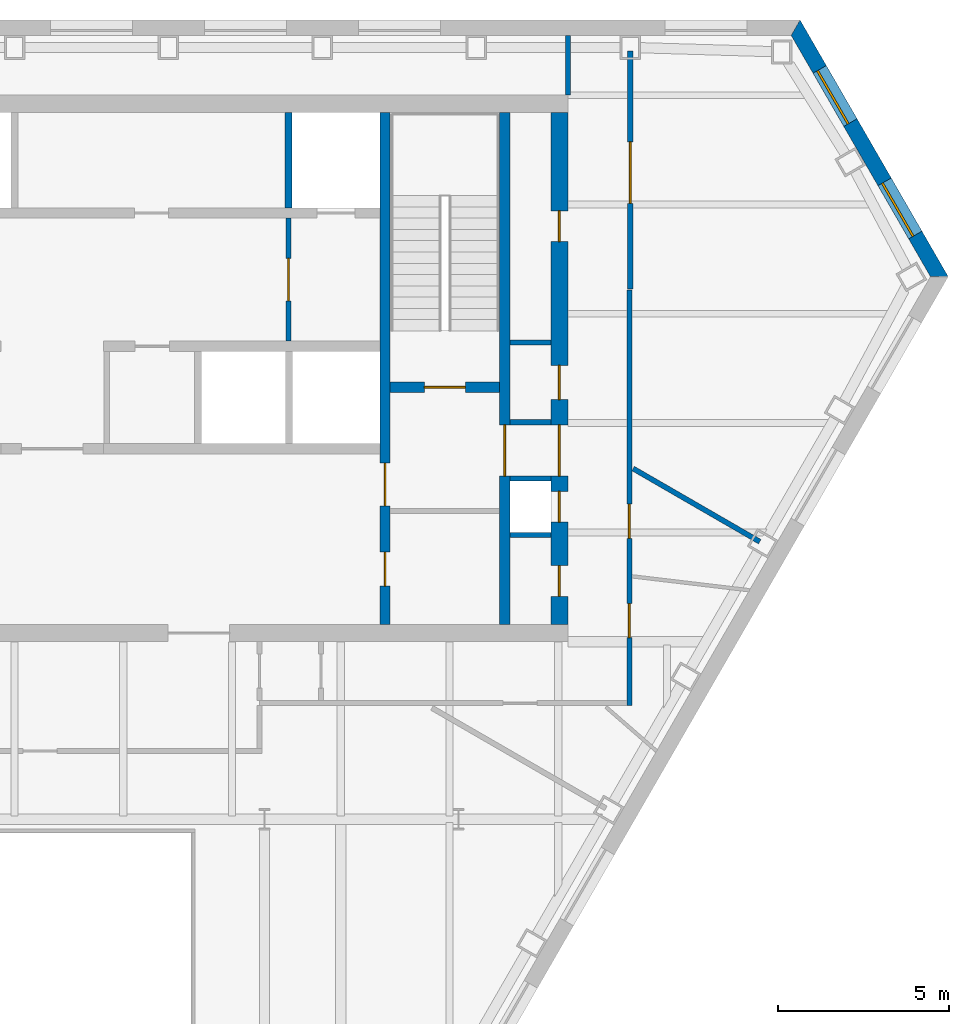
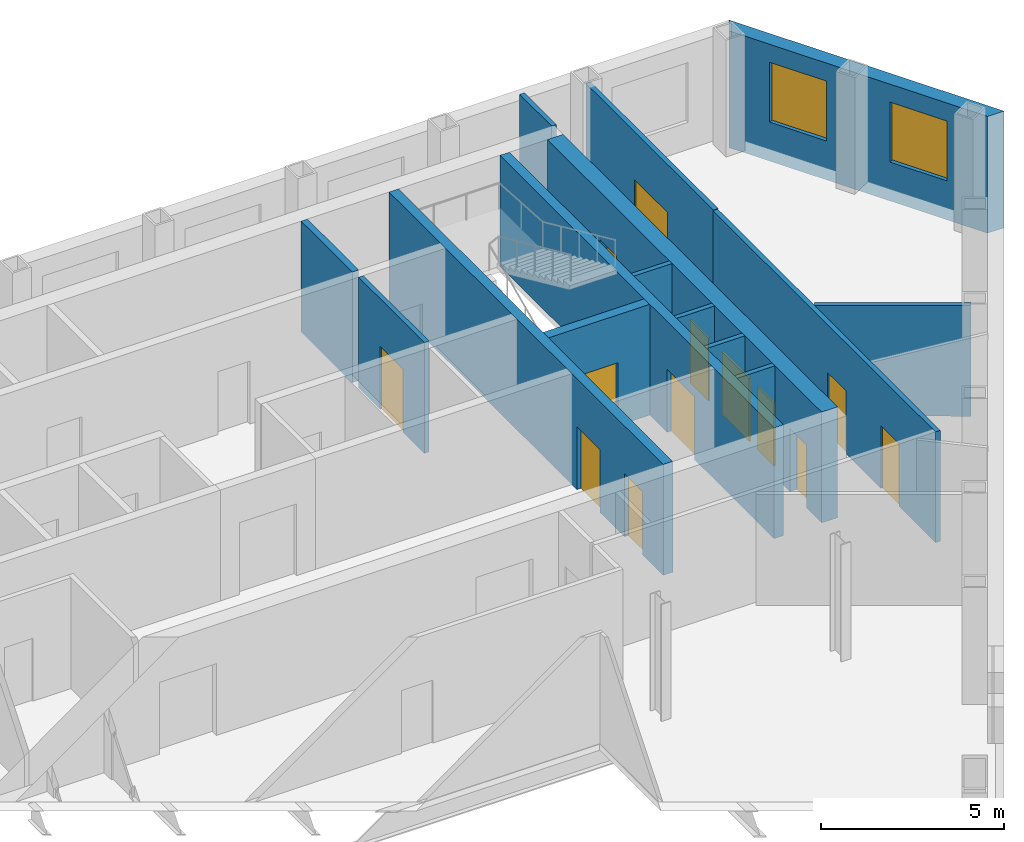
# One storey, part 7 of 10: 15 walls, 13 doors, 2 windows, 15 openings.
"""IFC4 building model written with IfcOpenShell, lengths in metres."""

from ifc_helpers import new_model, si_unit, direction, frame, frame_2d, origin, place, context, subcontext, project, spatial, polyline, rectangle, outline, extrude, material, layer, layer_set, type_object, element, fill, save


model = new_model("IFC4")

# Units and contexts
model_context = context("Model", 3, precision=1e-05, world=origin(), true_north=direction((0.0, 1.0)))
body_context = subcontext(model_context, "Body", "Model", "MODEL_VIEW")
ifc_project = project(units=[si_unit("LENGTHUNIT", "METRE"), si_unit("AREAUNIT", "SQUARE_METRE"), si_unit("VOLUMEUNIT", "CUBIC_METRE"), si_unit("PLANEANGLEUNIT", "RADIAN"), si_unit("MASSUNIT", "GRAM", prefix="KILO")], contexts=[model_context])

# Site, building, storey
site_placement = place(None, origin())
site = spatial("IfcSite", under=ifc_project, at=site_placement, CompositionType="ELEMENT")
building_placement = place(site_placement, origin())
building = spatial("IfcBuilding", under=site, at=building_placement, Name="Njiva Tower", CompositionType="ELEMENT")
storey_placement = place(building_placement, frame((0.0, 0.0, 155.4)))
storey = spatial("IfcBuildingStorey", under=building, at=storey_placement, Name="L33", CompositionType="ELEMENT", Elevation=155.4)

# Wall
ifc_material_1 = material(Name="Blockwork", Category="masonry")
ifc_layer_1 = layer(ifc_material_1, 0.15)
ifc_layer_set_1 = layer_set([ifc_layer_1], Name="Blockwork")
wall_type_1 = type_object("IfcWallType", Name="WT1 Compartment partition 150", PredefinedType="PARTITIONING", material=ifc_layer_set_1)
wall_1_placement = place(storey_placement, frame((14.5, 10.7557, 0.0), z_axis=(0.0, 0.0, 1.0), x_axis=(1.0, 0.0, 0.0)))
element("IfcWall", 1, at=wall_1_placement, inside=storey, type_object=wall_type_1, Name="Partition strip E10", PredefinedType="PARTITIONING", context=body_context, shape_type="SweptSolid", body=[
    extrude(rectangle(XDim=1.2, YDim=0.15, at=frame_2d((0.6, 0.0))), origin(), (0.0, 0.0, 1.0), 3.7),
])

# Wall, openings, doors
ifc_material_2 = material(Name="Concrete C40/50", Category="concrete")
ifc_layer_2 = layer(ifc_material_2, 0.3)
ifc_layer_set_2 = layer_set([ifc_layer_2], Name="Concrete C40/50")
wall_type_2 = type_object("IfcWallType", Name="WT10 Stair enclosure wall 300", PredefinedType="SHEAR", material=ifc_layer_set_2)
wall_2_placement = place(storey_placement, frame((10.85, 2.5, 0.0), z_axis=(0.0, 0.0, 1.0), x_axis=(0.0, 1.0, 0.0)))
wall_2 = element("IfcWall", 2, at=wall_2_placement, inside=storey, type_object=wall_type_2, Name="Stair wall east inner", PredefinedType="SHEAR", context=body_context, shape_type="SweptSolid", body=[
    extrude(rectangle(XDim=15.0, YDim=0.3, at=frame_2d((7.5, 0.0))), origin(), (0.0, 0.0, 1.0), 3.7),
])
opening_1_placement = place(wall_2_placement, frame((3.475, 0.0, 0.0)))
opening_1 = element("IfcOpeningElement", 3, at=opening_1_placement, cuts=wall_2, Name="Opening S11-D918", PredefinedType="OPENING", context=body_context, shape_type="SweptSolid", body=[
    extrude(rectangle(XDim=1.25, YDim=2.1, at=frame_2d((0.625, 1.05))), frame((0.0, 0.16, 0.0), z_axis=(0.0, -1.0, 0.0), x_axis=(1.0, 0.0, 0.0)), (0.0, 0.0, 1.0), 0.32),
])
opening_2_placement = place(wall_2_placement, frame((1.125, 0.0, 0.0)))
opening_2 = element("IfcOpeningElement", 4, at=opening_2_placement, cuts=wall_2, Name="Opening S11-D919", PredefinedType="OPENING", context=body_context, shape_type="SweptSolid", body=[
    extrude(rectangle(XDim=1.0, YDim=2.1, at=frame_2d((0.5, 1.05))), frame((0.0, 0.16, 0.0), z_axis=(0.0, -1.0, 0.0), x_axis=(1.0, 0.0, 0.0)), (0.0, 0.0, 1.0), 0.32),
])
ifc_material_3 = material(Name="Steel door, painted", Category="steel")
door_type_1 = type_object("IfcDoorType", Name="D5 Steel door 1000x2100", OperationType="SINGLE_SWING_LEFT", PredefinedType="DOOR", material=ifc_material_3)
door_1_placement = place(opening_2_placement, origin())
door_1 = element("IfcDoor", 5, at=door_1_placement, inside=storey, type_object=door_type_1, Name="Quiet room door", OperationType="SINGLE_SWING_LEFT", OverallHeight=2.1, OverallWidth=1.0, PredefinedType="DOOR", context=body_context, shape_type="SweptSolid", body=[
    extrude(rectangle(XDim=1.0, YDim=2.1, at=frame_2d((0.5, 1.05))), frame((0.0, 0.025, 0.0), z_axis=(0.0, -1.0, 0.0), x_axis=(1.0, 0.0, 0.0)), (0.0, 0.0, 1.0), 0.05),
])
fill(opening_2, door_1)
ifc_material_4 = material(Name="Glazed steel fire door", Category="steel")
door_type_2 = type_object("IfcDoorType", Name="D8 Vestibule corridor door 1250x2100 glazed", OperationType="SINGLE_SWING_LEFT", PredefinedType="DOOR", material=ifc_material_4)
door_2_placement = place(opening_1_placement, origin())
door_2 = element("IfcDoor", 6, at=door_2_placement, inside=storey, type_object=door_type_2, Name="Stair vestibule corridor door", OperationType="SINGLE_SWING_RIGHT", OverallHeight=2.1, OverallWidth=1.25, PredefinedType="DOOR", context=body_context, shape_type="SweptSolid", body=[
    extrude(rectangle(XDim=1.25, YDim=2.1, at=frame_2d((0.625, 1.05))), frame((0.0, 0.025, 0.0), z_axis=(0.0, -1.0, 0.0), x_axis=(1.0, 0.0, 0.0)), (0.0, 0.0, 1.0), 0.05),
])
fill(opening_1, door_2)

# Wall, opening, door
wall_3_placement = place(storey_placement, frame((14.35, 2.5, 0.0), z_axis=(0.0, 0.0, 1.0), x_axis=(0.0, 1.0, 0.0)))
wall_3 = element("IfcWall", 7, at=wall_3_placement, inside=storey, type_object=wall_type_2, Name="Stair wall east outer", PredefinedType="SHEAR", context=body_context, shape_type="SweptSolid", body=[
    extrude(rectangle(XDim=15.0, YDim=0.3, at=frame_2d((7.5, 0.0))), origin(), (0.0, 0.0, 1.0), 3.7),
])
opening_3_placement = place(wall_3_placement, frame((4.35, 0.0, 0.0)))
opening_3 = element("IfcOpeningElement", 8, at=opening_3_placement, cuts=wall_3, Name="Opening S11-D926", PredefinedType="OPENING", context=body_context, shape_type="SweptSolid", body=[
    extrude(rectangle(XDim=1.5, YDim=2.1, at=frame_2d((0.75, 1.05))), frame((0.0, 0.16, 0.0), z_axis=(0.0, -1.0, 0.0), x_axis=(1.0, 0.0, 0.0)), (0.0, 0.0, 1.0), 0.32),
])
door_type_3 = type_object("IfcDoorType", Name="D10 Exit door double 1500x2100 glazed", OperationType="DOUBLE_DOOR_SINGLE_SWING", PredefinedType="DOOR", material=ifc_material_4)
door_3_placement = place(opening_3_placement, origin())
door_3 = element("IfcDoor", 9, at=door_3_placement, inside=storey, type_object=door_type_3, Name="Stair B passage door", OperationType="DOUBLE_DOOR_SINGLE_SWING", OverallHeight=2.1, OverallWidth=1.5, PredefinedType="DOOR", context=body_context, shape_type="SweptSolid", body=[
    extrude(rectangle(XDim=1.5, YDim=2.1, at=frame_2d((0.75, 1.05))), frame((0.0, 0.025, 0.0), z_axis=(0.0, -1.0, 0.0), x_axis=(1.0, 0.0, 0.0)), (0.0, 0.0, 1.0), 0.05),
])
fill(opening_3, door_3)

wall_4_placement = place(storey_placement, frame((11.0, 9.45, 0.0), z_axis=(0.0, 0.0, 1.0), x_axis=(1.0, 0.0, 0.0)))
wall_4 = element("IfcWall", 10, at=wall_4_placement, inside=storey, type_object=wall_type_2, Name="Stair B south wall", PredefinedType="SHEAR", context=body_context, shape_type="SweptSolid", body=[
    extrude(rectangle(XDim=3.2, YDim=0.3, at=frame_2d((1.6, 0.0))), origin(), (0.0, 0.0, 1.0), 3.7),
])
opening_4_placement = place(wall_4_placement, frame((1.0, 0.0, 0.0)))
opening_4 = element("IfcOpeningElement", 11, at=opening_4_placement, cuts=wall_4, Name="Opening S11-D917", PredefinedType="OPENING", context=body_context, shape_type="SweptSolid", body=[
    extrude(rectangle(XDim=1.2, YDim=2.1, at=frame_2d((0.6, 1.05))), frame((0.0, 0.16, 0.0), z_axis=(0.0, -1.0, 0.0), x_axis=(1.0, 0.0, 0.0)), (0.0, 0.0, 1.0), 0.32),
])
door_type_4 = type_object("IfcDoorType", Name="D7 Stair vestibule door 1200x2100 glazed", OperationType="SINGLE_SWING_LEFT", PredefinedType="DOOR", material=ifc_material_4)
door_4_placement = place(opening_4_placement, origin())
door_4 = element("IfcDoor", 12, at=door_4_placement, inside=storey, type_object=door_type_4, Name="Stair B door", OperationType="SINGLE_SWING_LEFT", OverallHeight=2.1, OverallWidth=1.2, PredefinedType="DOOR", context=body_context, shape_type="SweptSolid", body=[
    extrude(rectangle(XDim=1.2, YDim=2.1, at=frame_2d((0.6, 1.05))), frame((0.0, 0.025, 0.0), z_axis=(0.0, -1.0, 0.0), x_axis=(1.0, 0.0, 0.0)), (0.0, 0.0, 1.0), 0.05),
])
fill(opening_4, door_4)

# Wall, openings, doors
ifc_material_5 = material(Name="Concrete C60/75", Category="concrete")
ifc_layer_3 = layer(ifc_material_5, 0.5)
ifc_layer_set_3 = layer_set([ifc_layer_3], Name="Concrete C60/75")
wall_type_3 = type_object("IfcWallType", Name="WT13 Core wall 500", PredefinedType="SHEAR", material=ifc_layer_set_3)
wall_5_placement = place(storey_placement, frame((15.95, 2.5, 0.0), z_axis=(0.0, 0.0, 1.0), x_axis=(0.0, 1.0, 0.0)))
wall_5 = element("IfcWall", 13, at=wall_5_placement, inside=storey, type_object=wall_type_3, Name="Core wall east", PredefinedType="SHEAR", context=body_context, shape_type="SweptSolid", body=[
    extrude(rectangle(XDim=15.0, YDim=0.5, at=frame_2d((7.5, 0.0))), origin(), (0.0, 0.0, 1.0), 3.7),
])
opening_5_placement = place(wall_5_placement, frame((4.35, 0.0, 0.0)))
opening_5 = element("IfcOpeningElement", 14, at=opening_5_placement, cuts=wall_5, Name="Opening S11-D927", PredefinedType="OPENING", context=body_context, shape_type="SweptSolid", body=[
    extrude(rectangle(XDim=1.5, YDim=2.1, at=frame_2d((0.75, 1.05))), frame((0.0, 0.26, 0.0), z_axis=(0.0, -1.0, 0.0), x_axis=(1.0, 0.0, 0.0)), (0.0, 0.0, 1.0), 0.52),
])
opening_6_placement = place(wall_5_placement, frame((0.825, 0.0, 0.0)))
opening_6 = element("IfcOpeningElement", 15, at=opening_6_placement, cuts=wall_5, Name="Opening S11-D928", PredefinedType="OPENING", context=body_context, shape_type="SweptSolid", body=[
    extrude(rectangle(XDim=0.9, YDim=2.1, at=frame_2d((0.45, 1.05))), frame((0.0, 0.26, 0.0), z_axis=(0.0, -1.0, 0.0), x_axis=(1.0, 0.0, 0.0)), (0.0, 0.0, 1.0), 0.52),
])
opening_7_placement = place(wall_5_placement, frame((3.0, 0.0, 0.0)))
opening_7 = element("IfcOpeningElement", 16, at=opening_7_placement, cuts=wall_5, Name="Opening S11-D929", PredefinedType="OPENING", context=body_context, shape_type="SweptSolid", body=[
    extrude(rectangle(XDim=0.9, YDim=2.1, at=frame_2d((0.45, 1.05))), frame((0.0, 0.26, 0.0), z_axis=(0.0, -1.0, 0.0), x_axis=(1.0, 0.0, 0.0)), (0.0, 0.0, 1.0), 0.52),
])
opening_8_placement = place(wall_5_placement, frame((6.5904, 0.0, 0.0)))
opening_8 = element("IfcOpeningElement", 17, at=opening_8_placement, cuts=wall_5, Name="Opening S11-D930", PredefinedType="OPENING", context=body_context, shape_type="SweptSolid", body=[
    extrude(rectangle(XDim=1.0, YDim=2.1, at=frame_2d((0.5, 1.05))), frame((0.0, 0.26, 0.0), z_axis=(0.0, -1.0, 0.0), x_axis=(1.0, 0.0, 0.0)), (0.0, 0.0, 1.0), 0.52),
])
opening_9_placement = place(wall_5_placement, frame((11.2154, 0.0, 0.0)))
opening_9 = element("IfcOpeningElement", 18, at=opening_9_placement, cuts=wall_5, Name="Opening S11-D931", PredefinedType="OPENING", context=body_context, shape_type="SweptSolid", body=[
    extrude(rectangle(XDim=0.9, YDim=2.1, at=frame_2d((0.45, 1.05))), frame((0.0, 0.26, 0.0), z_axis=(0.0, -1.0, 0.0), x_axis=(1.0, 0.0, 0.0)), (0.0, 0.0, 1.0), 0.52),
])
door_5_placement = place(opening_5_placement, origin())
door_5 = element("IfcDoor", 19, at=door_5_placement, inside=storey, type_object=door_type_3, Name="Stair B corridor door", OperationType="DOUBLE_DOOR_SINGLE_SWING", OverallHeight=2.1, OverallWidth=1.5, PredefinedType="DOOR", context=body_context, shape_type="SweptSolid", body=[
    extrude(rectangle(XDim=1.5, YDim=2.1, at=frame_2d((0.75, 1.05))), frame((0.0, 0.025, 0.0), z_axis=(0.0, -1.0, 0.0), x_axis=(1.0, 0.0, 0.0)), (0.0, 0.0, 1.0), 0.05),
])
fill(opening_5, door_5)
door_type_5 = type_object("IfcDoorType", Name="D4 Riser door 900x2100", OperationType="SINGLE_SWING_LEFT", PredefinedType="DOOR", material=ifc_material_3)
door_6_placement = place(opening_7_placement, origin())
door_6 = element("IfcDoor", 20, at=door_6_placement, inside=storey, type_object=door_type_5, Name="Cable riser door", OperationType="SINGLE_SWING_LEFT", OverallHeight=2.1, OverallWidth=0.9, PredefinedType="DOOR", context=body_context, shape_type="SweptSolid", body=[
    extrude(rectangle(XDim=0.9, YDim=2.1, at=frame_2d((0.45, 1.05))), frame((0.0, 0.025, 0.0), z_axis=(0.0, -1.0, 0.0), x_axis=(1.0, 0.0, 0.0)), (0.0, 0.0, 1.0), 0.05),
])
fill(opening_7, door_6)
door_7_placement = place(opening_8_placement, origin())
door_7 = element("IfcDoor", 21, at=door_7_placement, inside=storey, type_object=door_type_1, Name="Telecoms room door", OperationType="SINGLE_SWING_LEFT", OverallHeight=2.1, OverallWidth=1.0, PredefinedType="DOOR", context=body_context, shape_type="SweptSolid", body=[
    extrude(rectangle(XDim=1.0, YDim=2.1, at=frame_2d((0.5, 1.05))), frame((0.0, 0.025, 0.0), z_axis=(0.0, -1.0, 0.0), x_axis=(1.0, 0.0, 0.0)), (0.0, 0.0, 1.0), 0.05),
])
fill(opening_8, door_7)
ifc_material_6 = material(Name="Steel fire door, painted", Category="steel")
door_type_6 = type_object("IfcDoorType", Name="D6 Fire-rated door 900x2100", OperationType="SINGLE_SWING_LEFT", PredefinedType="DOOR", material=ifc_material_6)
door_8_placement = place(opening_6_placement, origin())
door_8 = element("IfcDoor", 22, at=door_8_placement, inside=storey, type_object=door_type_6, Name="Cable store door", OperationType="SINGLE_SWING_LEFT", OverallHeight=2.1, OverallWidth=0.9, PredefinedType="DOOR", context=body_context, shape_type="SweptSolid", body=[
    extrude(rectangle(XDim=0.9, YDim=2.1, at=frame_2d((0.45, 1.05))), frame((0.0, 0.025, 0.0), z_axis=(0.0, -1.0, 0.0), x_axis=(1.0, 0.0, 0.0)), (0.0, 0.0, 1.0), 0.05),
])
fill(opening_6, door_8)
door_9_placement = place(opening_9_placement, origin())
door_9 = element("IfcDoor", 23, at=door_9_placement, inside=storey, type_object=door_type_6, Name="Cable store door", OperationType="SINGLE_SWING_RIGHT", OverallHeight=2.1, OverallWidth=0.9, PredefinedType="DOOR", context=body_context, shape_type="SweptSolid", body=[
    extrude(rectangle(XDim=0.9, YDim=2.1, at=frame_2d((0.45, 1.05))), frame((0.0, 0.025, 0.0), z_axis=(0.0, -1.0, 0.0), x_axis=(1.0, 0.0, 0.0)), (0.0, 0.0, 1.0), 0.05),
])
fill(opening_9, door_9)

# Wall, opening, door
ifc_layer_4 = layer(ifc_material_1, 0.15)
ifc_layer_set_4 = layer_set([ifc_layer_4], Name="Blockwork")
wall_type_4 = type_object("IfcWallType", Name="WT2 Lobby partition 150", PredefinedType="PARTITIONING", material=ifc_layer_set_4)
wall_6_placement = place(storey_placement, frame((8.025, 10.8, 0.0), z_axis=(0.0, 0.0, 1.0), x_axis=(0.0, 1.0, 0.0)))
wall_6 = element("IfcWall", 24, at=wall_6_placement, inside=storey, type_object=wall_type_4, Name="Firefighting lobby wall B", PredefinedType="PARTITIONING", context=body_context, shape_type="SweptSolid", body=[
    extrude(rectangle(XDim=3.6, YDim=0.15, at=frame_2d((1.8, 0.0))), origin(), (0.0, 0.0, 1.0), 3.7),
])
opening_10_placement = place(wall_6_placement, frame((1.175, 0.0, 0.0)))
opening_10 = element("IfcOpeningElement", 25, at=opening_10_placement, cuts=wall_6, Name="Opening S11-D916", PredefinedType="OPENING", context=body_context, shape_type="SweptSolid", body=[
    extrude(rectangle(XDim=1.25, YDim=2.1, at=frame_2d((0.625, 1.05))), frame((0.0, 0.085, 0.0), z_axis=(0.0, -1.0, 0.0), x_axis=(1.0, 0.0, 0.0)), (0.0, 0.0, 1.0), 0.17),
])
door_10_placement = place(opening_10_placement, origin())
door_10 = element("IfcDoor", 26, at=door_10_placement, inside=storey, type_object=door_type_2, Name="Stair vestibule corridor door", OperationType="SINGLE_SWING_LEFT", OverallHeight=2.1, OverallWidth=1.25, PredefinedType="DOOR", context=body_context, shape_type="SweptSolid", body=[
    extrude(rectangle(XDim=1.25, YDim=2.1, at=frame_2d((0.625, 1.05))), frame((0.0, 0.025, 0.0), z_axis=(0.0, -1.0, 0.0), x_axis=(1.0, 0.0, 0.0)), (0.0, 0.0, 1.0), 0.05),
])
fill(opening_10, door_10)

# Wall
ifc_material_7 = material(Name="Gypsum board on steel studs", Category="gypsum")
ifc_layer_5 = layer(ifc_material_7, 0.15)
ifc_layer_set_5 = layer_set([ifc_layer_5], Name="Gypsum board on steel studs")
wall_type_5 = type_object("IfcWallType", Name="WT21 Compartment wall 150", PredefinedType="PARTITIONING", material=ifc_layer_set_5)
wall_7_placement = place(storey_placement, frame((16.2, 18.0, 0.0), z_axis=(0.0, 0.0, 1.0), x_axis=(0.0, 1.0, 0.0)))
element("IfcWall", 27, at=wall_7_placement, inside=storey, type_object=wall_type_5, Name="Partition S11-P023", PredefinedType="PARTITIONING", context=body_context, shape_type="SweptSolid", body=[
    extrude(rectangle(XDim=1.75, YDim=0.15, at=frame_2d((0.875, 0.0))), origin(), (0.0, 0.0, 1.0), 3.7),
])

# Wall, openings, doors
wall_8_placement = place(storey_placement, frame((18.0, 0.125, 0.0), z_axis=(0.0, 0.0, 1.0), x_axis=(0.0, 1.0, 0.0)))
wall_8 = element("IfcWall", 28, at=wall_8_placement, inside=storey, type_object=wall_type_5, Name="Partition S11-P025", PredefinedType="PARTITIONING", context=body_context, shape_type="SweptSolid", body=[
    extrude(rectangle(XDim=12.179, YDim=0.15, at=frame_2d((6.0895, 0.0))), origin(), (0.0, 0.0, 1.0), 3.7),
])
opening_11_placement = place(wall_8_placement, frame((1.992, 0.0, 0.0)))
opening_11 = element("IfcOpeningElement", 29, at=opening_11_placement, cuts=wall_8, Name="Opening S11-D012", PredefinedType="OPENING", context=body_context, shape_type="SweptSolid", body=[
    extrude(rectangle(XDim=1.0, YDim=2.1, at=frame_2d((0.5, 1.05))), frame((0.0, 0.085, 0.0), z_axis=(0.0, -1.0, 0.0), x_axis=(1.0, 0.0, 0.0)), (0.0, 0.0, 1.0), 0.17),
])
opening_12_placement = place(wall_8_placement, frame((4.902, 0.0, 0.0)))
opening_12 = element("IfcOpeningElement", 30, at=opening_12_placement, cuts=wall_8, Name="Opening S11-D013", PredefinedType="OPENING", context=body_context, shape_type="SweptSolid", body=[
    extrude(rectangle(XDim=1.0, YDim=2.1, at=frame_2d((0.5, 1.05))), frame((0.0, 0.085, 0.0), z_axis=(0.0, -1.0, 0.0), x_axis=(1.0, 0.0, 0.0)), (0.0, 0.0, 1.0), 0.17),
])
ifc_material_8 = material(Name="Steel fire door set", Category="steel")
door_type_7 = type_object("IfcDoorType", Name="D37 Fire door 1000x2100", OperationType="SINGLE_SWING_LEFT", PredefinedType="DOOR", material=ifc_material_8)
door_11_placement = place(opening_11_placement, origin())
door_11 = element("IfcDoor", 31, at=door_11_placement, inside=storey, type_object=door_type_7, Name="Door S11-D012", OperationType="SINGLE_SWING_LEFT", OverallHeight=2.1, OverallWidth=1.0, PredefinedType="DOOR", context=body_context, shape_type="SweptSolid", body=[
    extrude(rectangle(XDim=1.0, YDim=2.1, at=frame_2d((0.5, 1.05))), frame((0.0, 0.025, 0.0), z_axis=(0.0, -1.0, 0.0), x_axis=(1.0, 0.0, 0.0)), (0.0, 0.0, 1.0), 0.05),
])
fill(opening_11, door_11)
door_12_placement = place(opening_12_placement, origin())
door_12 = element("IfcDoor", 32, at=door_12_placement, inside=storey, type_object=door_type_7, Name="Door S11-D013", OperationType="SINGLE_SWING_LEFT", OverallHeight=2.1, OverallWidth=1.0, PredefinedType="DOOR", context=body_context, shape_type="SweptSolid", body=[
    extrude(rectangle(XDim=1.0, YDim=2.1, at=frame_2d((0.5, 1.05))), frame((0.0, 0.025, 0.0), z_axis=(0.0, -1.0, 0.0), x_axis=(1.0, 0.0, 0.0)), (0.0, 0.0, 1.0), 0.05),
])
fill(opening_12, door_12)

# Wall, opening, door
wall_9_placement = place(storey_placement, frame((18.027, 12.321, 0.0), z_axis=(0.0, 0.0, 1.0), x_axis=(0.0, 1.0, 0.0)))
wall_9 = element("IfcWall", 33, at=wall_9_placement, inside=storey, type_object=wall_type_5, Name="Partition S11-P026", PredefinedType="PARTITIONING", context=body_context, shape_type="SweptSolid", body=[
    extrude(rectangle(XDim=6.979, YDim=0.15, at=frame_2d((3.4895, 0.0))), origin(), (0.0, 0.0, 1.0), 3.7),
])
opening_13_placement = place(wall_9_placement, frame((2.514, 0.0, 0.0)))
opening_13 = element("IfcOpeningElement", 34, at=opening_13_placement, cuts=wall_9, Name="Opening S11-D014", PredefinedType="OPENING", context=body_context, shape_type="SweptSolid", body=[
    extrude(rectangle(XDim=1.8, YDim=2.1, at=frame_2d((0.9, 1.05))), frame((0.0, 0.085, 0.0), z_axis=(0.0, -1.0, 0.0), x_axis=(1.0, 0.0, 0.0)), (0.0, 0.0, 1.0), 0.17),
])
door_type_8 = type_object("IfcDoorType", Name="D38 Fire door 1800x2100", OperationType="DOUBLE_DOOR_SINGLE_SWING", PredefinedType="DOOR", material=ifc_material_8)
door_13_placement = place(opening_13_placement, origin())
door_13 = element("IfcDoor", 35, at=door_13_placement, inside=storey, type_object=door_type_8, Name="Door S11-D014", OperationType="DOUBLE_DOOR_SINGLE_SWING", OverallHeight=2.1, OverallWidth=1.8, PredefinedType="DOOR", context=body_context, shape_type="SweptSolid", body=[
    extrude(rectangle(XDim=1.8, YDim=2.1, at=frame_2d((0.9, 1.05))), frame((0.0, 0.025, 0.0), z_axis=(0.0, -1.0, 0.0), x_axis=(1.0, 0.0, 0.0)), (0.0, 0.0, 1.0), 0.05),
])
fill(opening_13, door_13)

# Walls
wall_10_placement = place(storey_placement, frame((18.113, 7.068, 0.0), z_axis=(0.0, 0.0, 1.0), x_axis=(0.865932559475, -0.500160776593, 0.0)))
element("IfcWall", 36, at=wall_10_placement, inside=storey, type_object=wall_type_5, Name="Partition S11-P028", PredefinedType="PARTITIONING", context=body_context, shape_type="SweptSolid", body=[
    extrude(rectangle(XDim=4.2786, YDim=0.15, at=frame_2d((2.1393, 0.0))), origin(), (0.0, 0.0, 1.0), 3.7),
])
ifc_layer_6 = layer(ifc_material_1, 0.15)
ifc_layer_set_6 = layer_set([ifc_layer_6], Name="Blockwork")
wall_type_6 = type_object("IfcWallType", Name="WT3 Riser partition 150", PredefinedType="PARTITIONING", material=ifc_layer_set_6)
wall_11_placement = place(storey_placement, frame((14.5, 5.125, 0.0), z_axis=(0.0, 0.0, 1.0), x_axis=(1.0, 0.0, 0.0)))
element("IfcWall", 37, at=wall_11_placement, inside=storey, type_object=wall_type_6, Name="Partition strip E00", PredefinedType="PARTITIONING", context=body_context, shape_type="SweptSolid", body=[
    extrude(rectangle(XDim=1.2, YDim=0.15, at=frame_2d((0.6, 0.0))), origin(), (0.0, 0.0, 1.0), 3.7),
])
ifc_layer_7 = layer(ifc_material_1, 0.15)
ifc_layer_set_7 = layer_set([ifc_layer_7], Name="Blockwork")
wall_type_7 = type_object("IfcWallType", Name="WT4 Stair partition 150", PredefinedType="PARTITIONING", material=ifc_layer_set_7)
for number, where, z_axis, x_axis, name in (
    (38, (14.5, 6.775, 0.0), (0.0, 0.0, 1.0), (1.0, 0.0, 0.0), "Stair B exit passage wall south"),
    (39, (14.5, 8.425, 0.0), (0.0, 0.0, 1.0), (1.0, 0.0, 0.0), "Stair B exit passage wall north"),
):
    element("IfcWall", number, at=place(storey_placement, frame(where, z_axis=z_axis, x_axis=x_axis)), inside=storey, type_object=wall_type_7, Name=name, PredefinedType="PARTITIONING", context=body_context, shape_type="SweptSolid", body=[
        extrude(rectangle(XDim=1.2, YDim=0.15, at=frame_2d((0.6, 0.0))), origin(), (0.0, 0.0, 1.0), 3.7),
    ])
ifc_layer_8 = layer(ifc_material_2, 0.2)
ifc_layer_set_8 = layer_set([ifc_layer_8], Name="Concrete C40/50")
wall_type_8 = type_object("IfcWallType", Name="WT6 Lift shaft wall 200", PredefinedType="SHEAR", material=ifc_layer_set_8)
wall_12_placement = place(storey_placement, frame((8.025, 14.7, 0.0), z_axis=(0.0, 0.0, 1.0), x_axis=(0.0, 1.0, 0.0)))
element("IfcWall", 40, at=wall_12_placement, inside=storey, type_object=wall_type_8, Name="Shaft wall CN7", PredefinedType="SHEAR", context=body_context, shape_type="SweptSolid", body=[
    extrude(rectangle(XDim=2.8, YDim=0.2, at=frame_2d((1.4, 0.0))), origin(), (0.0, 0.0, 1.0), 3.7),
])

# Wall, openings, windows
ifc_material_9 = material(Name="Brick masonry, buff", Category="masonry")
ifc_layer_9 = layer(ifc_material_9, 0.45)
ifc_layer_set_9 = layer_set([ifc_layer_9], Name="Brick masonry, buff")
wall_type_9 = type_object("IfcWallType", Name="WT94 Brick pier and spandrel wall 450, buff", PredefinedType="SOLIDWALL", material=ifc_layer_set_9)
wall_13_placement = place(storey_placement, frame((27.0789, 12.6851, -0.4), z_axis=(0.0, 0.0, 1.0), x_axis=(-0.500000365375, 0.866025192835, 0.0)))
wall_13 = element("IfcWall", 41, at=wall_13_placement, inside=storey, type_object=wall_type_9, Name="Facade wall NE", PredefinedType="SOLIDWALL", context=body_context, shape_type="SweptSolid", body=[
    extrude(outline(polyline([(-0.1299, -0.225), (8.5501, -0.225), (8.2903, 0.225), (0.1299, 0.225), (-0.1299, -0.225)])), origin(), (0.0, 0.0, 1.0), 3.9),
])
opening_14_placement = place(wall_13_placement, frame((1.4094, 0.0, 1.3)))
opening_14 = element("IfcOpeningElement", 42, at=opening_14_placement, cuts=wall_13, Name="Opening S11-W32", PredefinedType="OPENING", context=body_context, shape_type="SweptSolid", body=[
    extrude(rectangle(XDim=1.8, YDim=2.0, at=frame_2d((0.9, 1.0))), frame((0.0, 0.235, 0.0), z_axis=(0.0, -1.0, 0.0), x_axis=(1.0, 0.0, 0.0)), (0.0, 0.0, 1.0), 0.47),
])
opening_15_placement = place(wall_13_placement, frame((5.2107, 0.0, 1.3)))
opening_15 = element("IfcOpeningElement", 43, at=opening_15_placement, cuts=wall_13, Name="Opening S11-W33", PredefinedType="OPENING", context=body_context, shape_type="SweptSolid", body=[
    extrude(rectangle(XDim=1.8, YDim=2.0, at=frame_2d((0.9, 1.0))), frame((0.0, 0.235, 0.0), z_axis=(0.0, -1.0, 0.0), x_axis=(1.0, 0.0, 0.0)), (0.0, 0.0, 1.0), 0.47),
])
ifc_material_10 = material(Name="Clear glazing in aluminium frame", Category="aluminium")
window_type = type_object("IfcWindowType", Name="W94 Deep-set window 1800x2000", PartitioningType="SINGLE_PANEL", PredefinedType="WINDOW", material=ifc_material_10)
window_1_placement = place(opening_14_placement, origin())
window_1 = element("IfcWindow", 44, at=window_1_placement, inside=storey, type_object=window_type, Name="Window", OverallHeight=2.0, OverallWidth=1.8, PartitioningType="SINGLE_PANEL", PredefinedType="WINDOW", context=body_context, shape_type="SweptSolid", body=[
    extrude(rectangle(XDim=1.8, YDim=2.0, at=frame_2d((0.9, 1.0))), frame((0.0, 0.105, 0.0), z_axis=(0.0, -1.0, 0.0), x_axis=(1.0, 0.0, 0.0)), (0.0, 0.0, 1.0), 0.06),
])
fill(opening_14, window_1)
window_2_placement = place(opening_15_placement, origin())
window_2 = element("IfcWindow", 45, at=window_2_placement, inside=storey, type_object=window_type, Name="Window", OverallHeight=2.0, OverallWidth=1.8, PartitioningType="SINGLE_PANEL", PredefinedType="WINDOW", context=body_context, shape_type="SweptSolid", body=[
    extrude(rectangle(XDim=1.8, YDim=2.0, at=frame_2d((0.9, 1.0))), frame((0.0, 0.105, 0.0), z_axis=(0.0, -1.0, 0.0), x_axis=(1.0, 0.0, 0.0)), (0.0, 0.0, 1.0), 0.06),
])
fill(opening_15, window_2)

save(model, "model.ifc")
